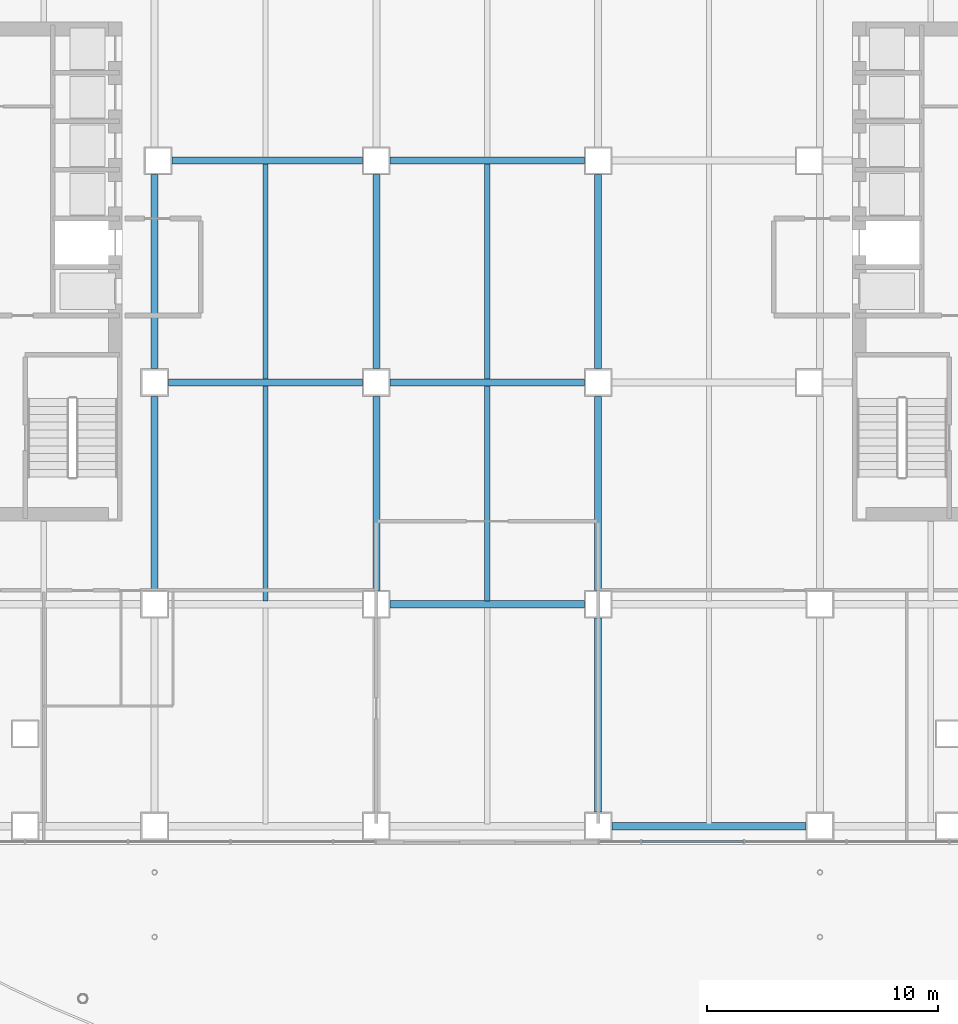
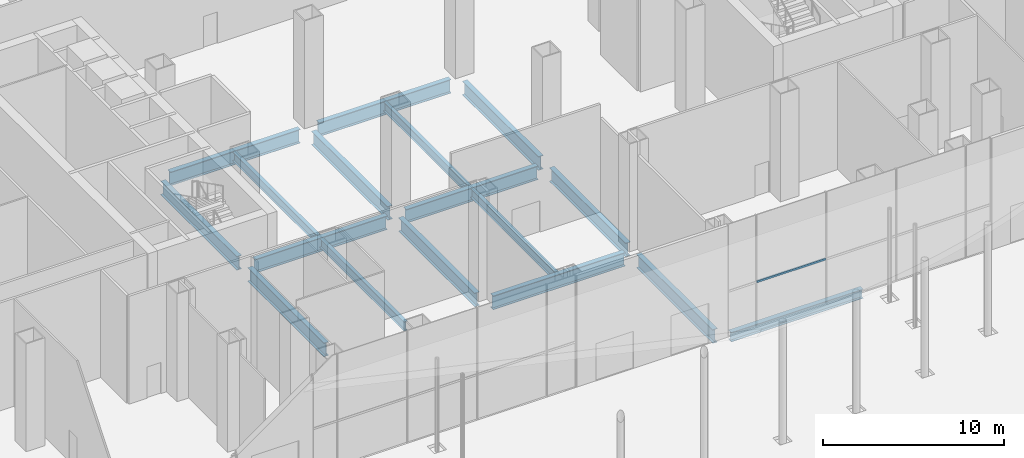
# One storey, part 10 of 36: 17 beams, 1 member, 1 element without a shape of its own.
"""IFC4 building model written with IfcOpenShell, lengths in metres."""

import ifcopenshell
import ifcopenshell.guid

model = None  # the IFC model being written
_history = None  # IfcOwnerHistory: only IFC2X3 demands one
_inside = {}  # id of a spatial element -> (the spatial element, [elements in it])
_under = {}  # id of a project, library or spatial element -> (it, [spatial elements below it])
_declared = {}  # id of a project -> (the project, [libraries it declares])
_typed = {}  # id of a type object -> (the type object, [elements of that type])
_made_of = {}  # id of a material, layer set ... -> (it, [elements and type objects made of it])


def new_model(schema):
    """Start an empty IFC model of exactly this schema.

    Asked for "IFC4X3", IfcOpenShell would pick the latest addendum, in which some entities
    have other attributes; the version numbers below select the first issue.
    IFC2X3 requires an IfcOwnerHistory on every rooted entity: one is made here for all.
    """
    global model, _history
    if schema == "IFC4X3":
        model = ifcopenshell.file(schema_version=(4, 3, 0, 0))
    else:
        model = ifcopenshell.file(schema=schema)
    _inside.clear()
    _under.clear()
    _declared.clear()
    _typed.clear()
    _made_of.clear()
    _history = None
    if model.schema == "IFC2X3":
        org = make("IfcOrganization", Name="unknown")
        user = make(
            "IfcPersonAndOrganization",
            ThePerson=make("IfcPerson", FamilyName="unknown"),
            TheOrganization=org,
        )
        app = make(
            "IfcApplication",
            ApplicationDeveloper=org,
            Version="unknown",
            ApplicationFullName="unknown",
            ApplicationIdentifier="unknown",
        )
        _history = make(
            "IfcOwnerHistory",
            OwningUser=user,
            OwningApplication=app,
            ChangeAction="ADDED",
            CreationDate=0,
        )
    return model


def make(cls, **values):
    """One entity of the class cls with the attributes given. An attribute that is None is left unset."""
    return model.create_entity(
        cls, **{name: value for name, value in values.items() if value is not None}
    )


def rooted(cls, **values):
    """An entity with a GlobalId (a new one), such as an element, a storey or a relation."""
    return make(cls, GlobalId=ifcopenshell.guid.new(), OwnerHistory=_history, **values)


def si_unit(unit_type, name, prefix=None):
    """IfcSIUnit, for example si_unit("LENGTHUNIT", "METRE", prefix="MILLI")."""
    return make("IfcSIUnit", UnitType=unit_type, Prefix=prefix, Name=name)


def assignment(units):
    """IfcUnitAssignment: the units of a project."""
    return None if units is None else make("IfcUnitAssignment", Units=units)


def point(xyz):
    """IfcCartesianPoint."""
    return None if xyz is None else make("IfcCartesianPoint", Coordinates=xyz)


def direction(xyz):
    """IfcDirection."""
    return None if xyz is None else make("IfcDirection", DirectionRatios=xyz)


def frame(location, z_axis=None, x_axis=None):
    """IfcAxis2Placement3D, a coordinate frame: its origin and axes. An axis left out is left unset."""
    return make(
        "IfcAxis2Placement3D",
        Location=point(location),
        Axis=direction(z_axis),
        RefDirection=direction(x_axis),
    )


def frame_2d(location, x_axis=None):
    """IfcAxis2Placement2D, a coordinate frame in the plane: its origin and x axis."""
    return make(
        "IfcAxis2Placement2D", Location=point(location), RefDirection=direction(x_axis)
    )


def origin():
    """The frame at (0, 0, 0) with its axes left unset."""
    return frame((0.0, 0.0, 0.0))


def origin_2d():
    """The frame at (0, 0) in the plane with its x axis left unset."""
    return frame_2d((0.0, 0.0))


def place(relative_to, where):
    """IfcLocalPlacement: puts the frame where relative to a parent placement (None: the world)."""
    return make(
        "IfcLocalPlacement", PlacementRelTo=relative_to, RelativePlacement=where
    )


def context(
    kind, dimensions, precision=None, world=None, true_north=None, identifier=None
):
    """IfcGeometricRepresentationContext, for example the 3D "Model" context."""
    return make(
        "IfcGeometricRepresentationContext",
        ContextIdentifier=identifier,
        ContextType=kind,
        CoordinateSpaceDimension=dimensions,
        Precision=precision,
        WorldCoordinateSystem=world,
        TrueNorth=true_north,
    )


def subcontext(parent, identifier, kind, view, scale=None):
    """IfcGeometricRepresentationSubContext, for example "Body" below "Model"."""
    return make(
        "IfcGeometricRepresentationSubContext",
        ContextIdentifier=identifier,
        ContextType=kind,
        ParentContext=parent,
        TargetScale=scale,
        TargetView=view,
    )


def project(units=None, contexts=None):
    """IfcProject with its units and contexts."""
    return rooted(
        "IfcProject",
        Name="project",
        RepresentationContexts=contexts,
        UnitsInContext=assignment(units),
    )


def spatial(cls, under=None, at=None, **own):
    """A site, building, storey or space (cls), placed at a placement, below another one or the project."""
    s = rooted(cls, ObjectPlacement=at, **own)
    if under is not None:
        _under.setdefault(under.id(), (under, []))[1].append(s)
    return s


def profile(cls, at=None, kind="AREA", **sizes):
    """A parametric profile (cls). Its sizes go by their IFC names, for example OverallWidth=200.0."""
    return make(cls, ProfileType=kind, Position=at, **sizes)


def rectangle(**sizes):
    """IfcRectangleProfileDef."""
    return profile("IfcRectangleProfileDef", **sizes)


def i_section(**sizes):
    """IfcIShapeProfileDef."""
    return profile("IfcIShapeProfileDef", **sizes)


def extrude(swept, where, along, depth):
    """IfcExtrudedAreaSolid: the profile swept, set in the frame where, extruded along a direction by depth."""
    return make(
        "IfcExtrudedAreaSolid",
        SweptArea=swept,
        Position=where,
        ExtrudedDirection=direction(along),
        Depth=depth,
    )


def shape(context_of_items, identifier, shape_type, items):
    """IfcShapeRepresentation: the items that make up one representation, for example the "Body"."""
    return make(
        "IfcShapeRepresentation",
        ContextOfItems=context_of_items,
        RepresentationIdentifier=identifier,
        RepresentationType=shape_type,
        Items=items,
    )


def material(Name=None, Category=None):
    """IfcMaterial."""
    return make("IfcMaterial", Name=Name, Category=Category)


def material_profile(
    of_material, cross_section, Name=None, Category=None, Priority=None
):
    """IfcMaterialProfile: a cross section and its material."""
    return make(
        "IfcMaterialProfile",
        Name=Name,
        Material=of_material,
        Profile=cross_section,
        Priority=Priority,
        Category=Category,
    )


def profile_set(profiles, Name=None, composite=None):
    """IfcMaterialProfileSet."""
    return make(
        "IfcMaterialProfileSet",
        Name=Name,
        MaterialProfiles=profiles,
        CompositeProfile=composite,
    )


def made_of(thing, what):
    """Note that an element or type object is made of a material, layer set ...; save() writes the relation."""
    if what is not None:
        _made_of.setdefault(what.id(), (what, []))[1].append(thing)
    return thing


def type_object(cls, material=None, **own):
    """A type object (cls), such as IfcWallType, which elements share."""
    return made_of(rooted(cls, **own), material)


def element(
    cls,
    number,
    at=None,
    inside=None,
    cuts=None,
    type_object=None,
    material=None,
    context=None,
    identifier="Body",
    shape_type=None,
    held_by="IfcProductDefinitionShape",
    body=None,
    shapes=None,
    **own,
):
    """One element of the class cls, such as IfcWall. Its Tag is "e" and its number.

    at: its placement. inside: the storey or other place that contains it. cuts: it is an
    opening in that element (IfcRelVoidsElement). A single representation is given by context,
    identifier, shape_type and body (its items); several are given by shapes. held_by: the class
    of the entity that holds the representations. save() writes the other relations.
    """
    e = rooted(cls, Tag="e%d" % number, ObjectPlacement=at, **own)
    if body is not None:
        shapes = [shape(context, identifier, shape_type, body)]
    if shapes is not None:
        e.Representation = make(held_by, Representations=shapes)
    if inside is not None:
        _inside.setdefault(inside.id(), (inside, []))[1].append(e)
    if cuts is not None:
        rooted(
            "IfcRelVoidsElement", RelatingBuildingElement=cuts, RelatedOpeningElement=e
        )
    if type_object is not None:
        _typed.setdefault(type_object.id(), (type_object, []))[1].append(e)
    return made_of(e, material)


def aggregate(whole, parts):
    """IfcRelAggregates: a whole, such as a stair, and the parts it consists of."""
    return rooted("IfcRelAggregates", RelatingObject=whole, RelatedObjects=parts)


def save(model, path):
    """Write the relations noted so far, then the file.

    IfcRelAggregates (storeys below a building ...), IfcRelContainedInSpatialStructure (elements
    in a storey), IfcRelDefinesByType, IfcRelAssociatesMaterial and IfcRelDeclares: one each for
    every whole, place, type object, material and project.
    """
    for whole, parts in _under.values():
        aggregate(whole, parts)
    for where, things in _inside.values():
        rooted(
            "IfcRelContainedInSpatialStructure",
            RelatedElements=things,
            RelatingStructure=where,
        )
    for kind, things in _typed.values():
        rooted("IfcRelDefinesByType", RelatedObjects=things, RelatingType=kind)
    for what, things in _made_of.values():
        rooted("IfcRelAssociatesMaterial", RelatedObjects=things, RelatingMaterial=what)
    for by, libraries in _declared.values():
        rooted("IfcRelDeclares", RelatingContext=by, RelatedDefinitions=libraries)
    model.write(path)


model = new_model("IFC4")

# Units and contexts
model_context = context("Model", 3, precision=1e-05, world=origin(), true_north=direction((0.0, 1.0)))
body_context = subcontext(model_context, "Body", "Model", "MODEL_VIEW")
ifc_project = project(units=[si_unit("LENGTHUNIT", "METRE"), si_unit("AREAUNIT", "SQUARE_METRE"), si_unit("VOLUMEUNIT", "CUBIC_METRE"), si_unit("PLANEANGLEUNIT", "RADIAN"), si_unit("MASSUNIT", "GRAM", prefix="KILO")], contexts=[model_context])

# Site, building, storey
site_placement = place(None, origin())
site = spatial("IfcSite", under=ifc_project, at=site_placement, CompositionType="ELEMENT")
building_placement = place(site_placement, origin())
building = spatial("IfcBuilding", under=site, at=building_placement, Name="Cobrizo Arcos Hotel Tower", CompositionType="ELEMENT")
storey_placement = place(building_placement, origin())
storey = spatial("IfcBuildingStorey", under=building, at=storey_placement, Name="L00", CompositionType="ELEMENT", Elevation=0.0)

# Curtain wall, member
ifc_material_1 = material(Name="Aluminium 6063-T6 anodised bronze", Category="aluminium")
curtain_wall_type = type_object("IfcCurtainWallType", Name="CW-A guest facade", PredefinedType="NOTDEFINED", material=ifc_material_1)
curtain_wall_placement = place(storey_placement, origin())
curtain_wall = element("IfcCurtainWall", 1, at=curtain_wall_placement, inside=storey, type_object=curtain_wall_type, Name="CW-A L00 S face", PredefinedType="NOTDEFINED")
ifc_material_profile_1 = material_profile(ifc_material_1, rectangle(XDim=0.10009765625, YDim=0.1201171875, at=origin_2d()), Name="CW-A transom 120x100")
ifc_profile_set_1 = profile_set([ifc_material_profile_1], Name="Aluminium 6063-T6 anodised bronze")
member_type = type_object("IfcMemberType", Name="CW-A transom 120x100", PredefinedType="USERDEFINED", material=ifc_profile_set_1)
member_placement = place(storey_placement, frame((6.69677734375, -24.675048828125, 3.0), z_axis=(1.0, 0.0, 0.0), x_axis=(0.0, 1.0, 0.0)))
member = element("IfcMember", 2, at=member_placement, type_object=member_type, Name="CW-A transom 46", ObjectType="TRANSOM", PredefinedType="USERDEFINED", context=body_context, shape_type="SweptSolid", body=[
    extrude(rectangle(XDim=0.10009765625, YDim=0.1201171875, at=origin_2d()), origin(), (0.0, 0.0, 1.0), 4.38427734375),
])
aggregate(curtain_wall, [member])

# Beams
ifc_material_2 = material(Name="Steel ASTM A992 Grade 50", Category="steel")
ifc_material_profile_2 = material_profile(ifc_material_2, i_section(OverallWidth=0.32763671875, OverallDepth=0.622314453125, WebThickness=0.015380859375, FlangeThickness=0.0244140625, at=origin_2d()), Name="W24X131")
ifc_profile_set_2 = profile_set([ifc_material_profile_2], Name="Steel ASTM A992 Grade 50")
beam_type_1 = type_object("IfcBeamType", Name="W24X131 spandrel", PredefinedType="SPANDREL", material=ifc_profile_set_2)
beam_1_placement = place(storey_placement, frame((5.39990234375, -24.0, -0.611083984375), z_axis=(1.0, 0.0, 0.0), x_axis=(0.0, 1.0, 0.0)))
element("IfcBeam", 3, at=beam_1_placement, inside=storey, type_object=beam_type_1, Name="Spandrel beam W24X131, L00, no. 012", PredefinedType="SPANDREL", context=body_context, shape_type="SweptSolid", body=[
    extrude(i_section(OverallWidth=0.32763671875, OverallDepth=0.622314453125, WebThickness=0.015380859375, FlangeThickness=0.0244140625, at=origin_2d()), origin(), (0.0, 0.0, 1.0), 8.400146484375),
])
ifc_material_profile_3 = material_profile(ifc_material_2, i_section(OverallWidth=0.23046875, OverallDepth=0.6171875, WebThickness=0.01318359375, FlangeThickness=0.022216796875, at=origin_2d()), Name="W24X94")
ifc_profile_set_3 = profile_set([ifc_material_profile_3], Name="Steel ASTM A992 Grade 50")
beam_type_2 = type_object("IfcBeamType", Name="W24X94 podium joist", PredefinedType="JOIST", material=ifc_profile_set_3)
beam_2_placement = place(storey_placement, frame((-9.60009765625, -14.246337890625, -0.608642578125), z_axis=(0.0, 1.0, 0.0), x_axis=(-1.0, 0.0, 0.0)))
element("IfcBeam", 4, at=beam_2_placement, inside=storey, type_object=beam_type_2, Name="Podium joist PJ1, L00, no. 011", PredefinedType="JOIST", context=body_context, shape_type="SweptSolid", body=[
    extrude(i_section(OverallWidth=0.23046875, OverallDepth=0.6171875, WebThickness=0.01318359375, FlangeThickness=0.022216796875, at=origin_2d()), origin(), (0.0, 0.0, 1.0), 9.292724609375),
])
beam_3_placement = place(storey_placement, frame((-9.60009765625, -4.646240234375, -0.608642578125), z_axis=(0.0, 1.0, 0.0), x_axis=(-1.0, 0.0, 0.0)))
element("IfcBeam", 5, at=beam_3_placement, inside=storey, type_object=beam_type_2, Name="Podium joist PJ1, L00, no. 012", PredefinedType="JOIST", context=body_context, shape_type="SweptSolid", body=[
    extrude(i_section(OverallWidth=0.23046875, OverallDepth=0.6171875, WebThickness=0.01318359375, FlangeThickness=0.022216796875, at=origin_2d()), origin(), (0.0, 0.0, 1.0), 9.29248046875),
])
beam_4_placement = place(storey_placement, frame((0.0, -14.246337890625, -0.608642578125), z_axis=(0.0, 1.0, 0.0), x_axis=(-1.0, 0.0, 0.0)))
element("IfcBeam", 6, at=beam_4_placement, inside=storey, type_object=beam_type_2, Name="Podium joist PJ1, L00, no. 016", PredefinedType="JOIST", context=body_context, shape_type="SweptSolid", body=[
    extrude(i_section(OverallWidth=0.23046875, OverallDepth=0.6171875, WebThickness=0.01318359375, FlangeThickness=0.022216796875, at=origin_2d()), origin(), (0.0, 0.0, 1.0), 9.292724609375),
])
beam_5_placement = place(storey_placement, frame((0.0, -4.646240234375, -0.608642578125), z_axis=(0.0, 1.0, 0.0), x_axis=(-1.0, 0.0, 0.0)))
element("IfcBeam", 7, at=beam_5_placement, inside=storey, type_object=beam_type_2, Name="Podium joist PJ1, L00, no. 017", PredefinedType="JOIST", context=body_context, shape_type="SweptSolid", body=[
    extrude(i_section(OverallWidth=0.23046875, OverallDepth=0.6171875, WebThickness=0.01318359375, FlangeThickness=0.022216796875, at=origin_2d()), origin(), (0.0, 0.0, 1.0), 9.29248046875),
])
ifc_material_profile_4 = material_profile(ifc_material_2, i_section(OverallWidth=0.307373046875, OverallDepth=0.927001953125, WebThickness=0.01953125, FlangeThickness=0.031982421875, at=origin_2d()), Name="W36X194")
ifc_profile_set_4 = profile_set([ifc_material_profile_4], Name="Steel ASTM A992 Grade 50")
beam_type_3 = type_object("IfcBeamType", Name="W36X194 podium girder", PredefinedType="BEAM", material=ifc_profile_set_4)
beam_6_placement = place(storey_placement, frame((-4.199951171875, -14.39990234375, -0.763427734375), z_axis=(1.0, 0.0, 0.0), x_axis=(0.0, 1.0, 0.0)))
element("IfcBeam", 8, at=beam_6_placement, inside=storey, type_object=beam_type_3, Name="Podium girder PG1, L00, no. 005", PredefinedType="BEAM", context=body_context, shape_type="SweptSolid", body=[
    extrude(i_section(OverallWidth=0.307373046875, OverallDepth=0.927001953125, WebThickness=0.01953125, FlangeThickness=0.031982421875, at=origin_2d()), origin(), (0.0, 0.0, 1.0), 8.39990234375),
])
beam_7_placement = place(storey_placement, frame((-13.800048828125, -4.800048828125, -0.763427734375), z_axis=(1.0, 0.0, 0.0), x_axis=(0.0, 1.0, 0.0)))
element("IfcBeam", 9, at=beam_7_placement, inside=storey, type_object=beam_type_3, Name="Podium girder PG1, L00, no. 012", PredefinedType="BEAM", context=body_context, shape_type="SweptSolid", body=[
    extrude(i_section(OverallWidth=0.307373046875, OverallDepth=0.927001953125, WebThickness=0.01953125, FlangeThickness=0.031982421875, at=origin_2d()), origin(), (0.0, 0.0, 1.0), 8.400146484375),
])
beam_8_placement = place(storey_placement, frame((-4.199951171875, -4.800048828125, -0.763427734375), z_axis=(1.0, 0.0, 0.0), x_axis=(0.0, 1.0, 0.0)))
element("IfcBeam", 10, at=beam_8_placement, inside=storey, type_object=beam_type_3, Name="Podium girder PG1, L00, no. 013", PredefinedType="BEAM", context=body_context, shape_type="SweptSolid", body=[
    extrude(i_section(OverallWidth=0.307373046875, OverallDepth=0.927001953125, WebThickness=0.01953125, FlangeThickness=0.031982421875, at=origin_2d()), origin(), (0.0, 0.0, 1.0), 8.39990234375),
])
beam_9_placement = place(storey_placement, frame((-13.64990234375, 4.800048828125, -0.763427734375), z_axis=(1.0, 0.0, 0.0), x_axis=(0.0, 1.0, 0.0)))
element("IfcBeam", 11, at=beam_9_placement, inside=storey, type_object=beam_type_3, Name="Podium girder PG1, L00, no. 020", PredefinedType="BEAM", context=body_context, shape_type="SweptSolid", body=[
    extrude(i_section(OverallWidth=0.307373046875, OverallDepth=0.927001953125, WebThickness=0.01953125, FlangeThickness=0.031982421875, at=origin_2d()), origin(), (0.0, 0.0, 1.0), 8.25),
])
beam_10_placement = place(storey_placement, frame((-4.199951171875, 4.800048828125, -0.763427734375), z_axis=(1.0, 0.0, 0.0), x_axis=(0.0, 1.0, 0.0)))
element("IfcBeam", 12, at=beam_10_placement, inside=storey, type_object=beam_type_3, Name="Podium girder PG1, L00, no. 021", PredefinedType="BEAM", context=body_context, shape_type="SweptSolid", body=[
    extrude(i_section(OverallWidth=0.307373046875, OverallDepth=0.927001953125, WebThickness=0.01953125, FlangeThickness=0.031982421875, at=origin_2d()), origin(), (0.0, 0.0, 1.0), 8.39990234375),
])
beam_11_placement = place(storey_placement, frame((-14.39990234375, -13.800048828125, -0.763427734375), z_axis=(0.0, 1.0, 0.0), x_axis=(-1.0, 0.0, 0.0)))
element("IfcBeam", 13, at=beam_11_placement, inside=storey, type_object=beam_type_3, Name="Podium girder PG1, L00, no. 047", PredefinedType="BEAM", context=body_context, shape_type="SweptSolid", body=[
    extrude(i_section(OverallWidth=0.307373046875, OverallDepth=0.927001953125, WebThickness=0.01953125, FlangeThickness=0.031982421875, at=origin_2d()), origin(), (0.0, 0.0, 1.0), 8.400146484375),
])
beam_12_placement = place(storey_placement, frame((-14.39990234375, -4.199951171875, -0.763427734375), z_axis=(0.0, 1.0, 0.0), x_axis=(-1.0, 0.0, 0.0)))
element("IfcBeam", 14, at=beam_12_placement, inside=storey, type_object=beam_type_3, Name="Podium girder PG1, L00, no. 048", PredefinedType="BEAM", context=body_context, shape_type="SweptSolid", body=[
    extrude(i_section(OverallWidth=0.307373046875, OverallDepth=0.927001953125, WebThickness=0.01953125, FlangeThickness=0.031982421875, at=origin_2d()), origin(), (0.0, 0.0, 1.0), 8.39990234375),
])
beam_13_placement = place(storey_placement, frame((-4.800048828125, -13.800048828125, -0.763427734375), z_axis=(0.0, 1.0, 0.0), x_axis=(-1.0, 0.0, 0.0)))
element("IfcBeam", 15, at=beam_13_placement, inside=storey, type_object=beam_type_3, Name="Podium girder PG1, L00, no. 052", PredefinedType="BEAM", context=body_context, shape_type="SweptSolid", body=[
    extrude(i_section(OverallWidth=0.307373046875, OverallDepth=0.927001953125, WebThickness=0.01953125, FlangeThickness=0.031982421875, at=origin_2d()), origin(), (0.0, 0.0, 1.0), 8.400146484375),
])
for number, where, z_axis, x_axis, name in (
    (16, (-4.800048828125, -4.199951171875, -0.763427734375), (0.0, 1.0, 0.0), (-1.0, 0.0, 0.0), "Podium girder PG1, L00, no. 053"),
    (17, (4.800048828125, -23.39990234375, -0.763427734375), (0.0, 1.0, 0.0), (-1.0, 0.0, 0.0), "Podium girder PG1, L00, no. 056"),
):
    element("IfcBeam", number, at=place(storey_placement, frame(where, z_axis=z_axis, x_axis=x_axis)), inside=storey, type_object=beam_type_3, Name=name, PredefinedType="BEAM", context=body_context, shape_type="SweptSolid", body=[
        extrude(i_section(OverallWidth=0.307373046875, OverallDepth=0.927001953125, WebThickness=0.01953125, FlangeThickness=0.031982421875, at=origin_2d()), origin(), (0.0, 0.0, 1.0), 8.39990234375),
    ])
beam_14_placement = place(storey_placement, frame((4.800048828125, -13.800048828125, -0.763427734375), z_axis=(0.0, 1.0, 0.0), x_axis=(-1.0, 0.0, 0.0)))
element("IfcBeam", 18, at=beam_14_placement, inside=storey, type_object=beam_type_3, Name="Podium girder PG1, L00, no. 057", PredefinedType="BEAM", context=body_context, shape_type="SweptSolid", body=[
    extrude(i_section(OverallWidth=0.307373046875, OverallDepth=0.927001953125, WebThickness=0.01953125, FlangeThickness=0.031982421875, at=origin_2d()), origin(), (0.0, 0.0, 1.0), 8.400146484375),
])
beam_15_placement = place(storey_placement, frame((4.800048828125, -4.199951171875, -0.763427734375), z_axis=(0.0, 1.0, 0.0), x_axis=(-1.0, 0.0, 0.0)))
element("IfcBeam", 19, at=beam_15_placement, inside=storey, type_object=beam_type_3, Name="Podium girder PG1, L00, no. 058", PredefinedType="BEAM", context=body_context, shape_type="SweptSolid", body=[
    extrude(i_section(OverallWidth=0.307373046875, OverallDepth=0.927001953125, WebThickness=0.01953125, FlangeThickness=0.031982421875, at=origin_2d()), origin(), (0.0, 0.0, 1.0), 8.39990234375),
])

save(model, "model.ifc")
